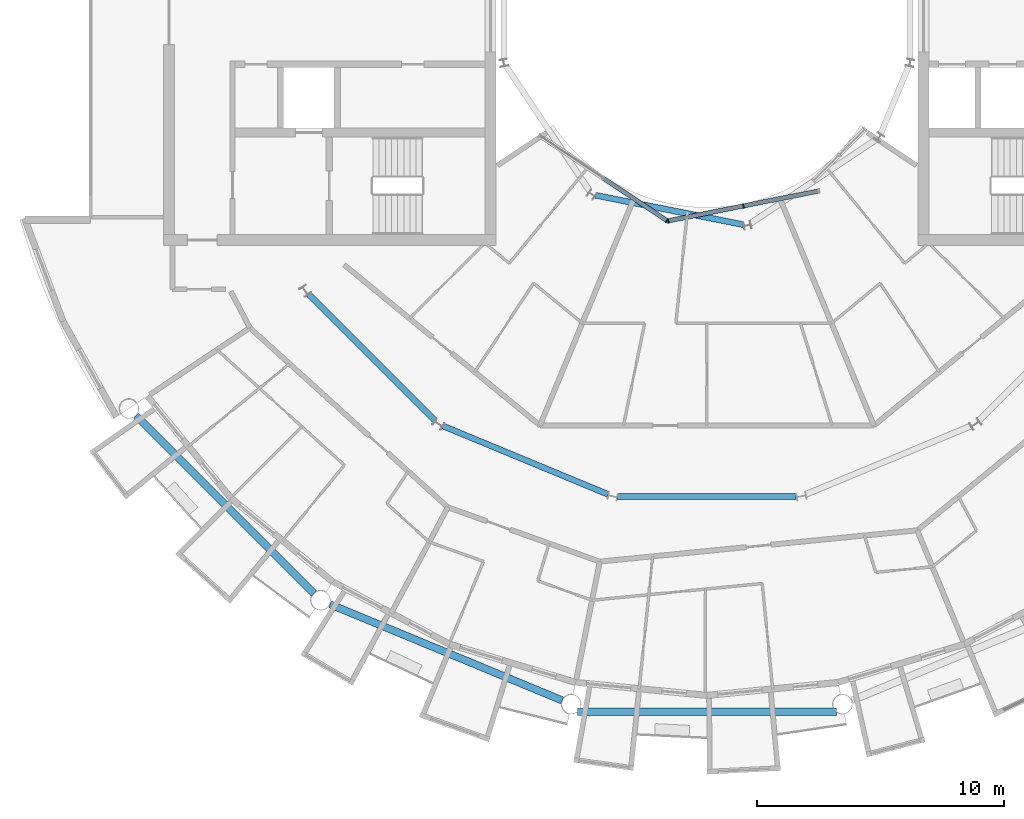
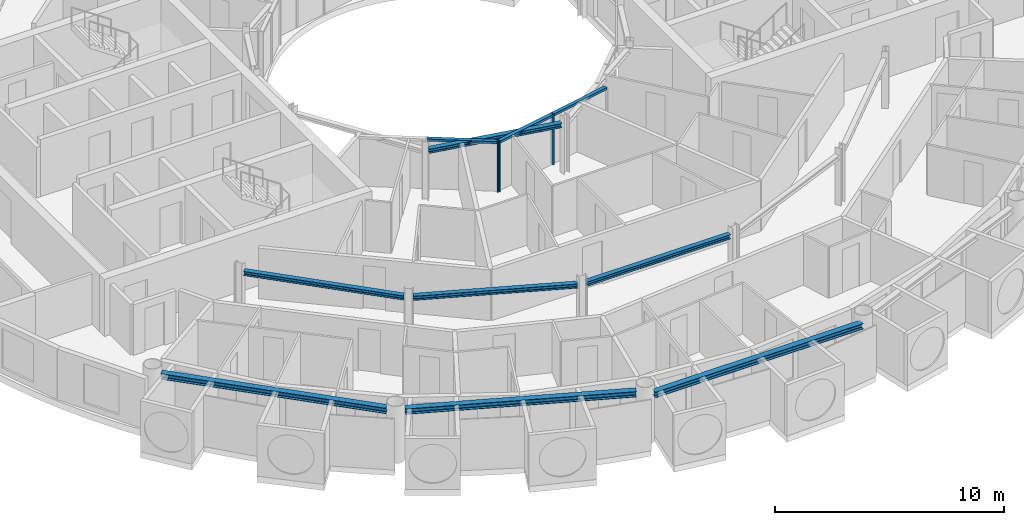
# One storey, part 6 of 29: 7 beams, 6 members, 2 elements without a shape of their own.
"""IFC4 building model written with IfcOpenShell, lengths in metres."""

from ifc_helpers import new_model, si_unit, direction, frame, origin, origin_2d, place, context, subcontext, project, spatial, rectangle, i_section, extrude, material, layer, layer_set, material_profile, profile_set, type_object, element, aggregate, save


model = new_model("IFC4")

# Units and contexts
model_context = context("Model", 3, precision=1e-05, world=origin(), true_north=direction((0.0, 1.0)))
body_context = subcontext(model_context, "Body", "Model", "MODEL_VIEW")
ifc_project = project(units=[si_unit("LENGTHUNIT", "METRE"), si_unit("AREAUNIT", "SQUARE_METRE"), si_unit("VOLUMEUNIT", "CUBIC_METRE"), si_unit("PLANEANGLEUNIT", "RADIAN"), si_unit("MASSUNIT", "GRAM", prefix="KILO")], contexts=[model_context])

# Site, building, storey
site_placement = place(None, origin())
site = spatial("IfcSite", under=ifc_project, at=site_placement, CompositionType="ELEMENT")
building_placement = place(site_placement, origin())
building = spatial("IfcBuilding", under=site, at=building_placement, Name="Maasbend Ring Residences", CompositionType="ELEMENT")
storey_placement = place(building_placement, frame((0.0, 0.0, 202.39990234375)))
storey = spatial("IfcBuildingStorey", under=building, at=storey_placement, Name="L58", CompositionType="ELEMENT", Elevation=202.39990234375)

# Curtain wall, member
ifc_material_1 = material(Name="Aluminium and clear glass", Category="aluminium")
ifc_layer = layer(ifc_material_1, 0.179931640625)
ifc_layer_set = layer_set([ifc_layer], Name="CW-W")
curtain_wall_type = type_object("IfcCurtainWallType", Name="CW-W", PredefinedType="NOTDEFINED", material=ifc_layer_set)
curtain_wall_1_placement = place(storey_placement, origin())
curtain_wall_1 = element("IfcCurtainWall", 1, at=curtain_wall_1_placement, inside=storey, type_object=curtain_wall_type, Name="Well curtain wall S1", PredefinedType="NOTDEFINED")
ifc_material_2 = material(Name="Aluminium 6063-T6", Category="aluminium")
ifc_material_profile_1 = material_profile(ifc_material_2, rectangle(XDim=0.179931640625, YDim=0.06005859375, at=origin_2d()), Name="AL 180x60")
ifc_profile_set_1 = profile_set([ifc_material_profile_1], Name="Aluminium 6063-T6")
member_type_1 = type_object("IfcMemberType", Name="CWM-W", PredefinedType="MULLION", material=ifc_profile_set_1)
member_1_placement = place(storey_placement, frame((-1.627685546875, -8.040771484375, 0.0), z_axis=(0.0, 0.0, 1.0), x_axis=(0.55557023302, 0.831469612303, 0.0)))
member_1 = element("IfcMember", 2, at=member_1_placement, type_object=member_type_1, Name="Mullion well face", PredefinedType="MULLION", context=body_context, shape_type="SweptSolid", body=[
    extrude(rectangle(XDim=0.179931640625, YDim=0.06005859375, at=origin_2d()), origin(), (0.0, 0.0, 1.0), 2.7001953125),
])

# Curtain wall, members
curtain_wall_2_placement = place(storey_placement, origin())
curtain_wall_2 = element("IfcCurtainWall", 3, at=curtain_wall_2_placement, inside=storey, type_object=curtain_wall_type, Name="Well curtain wall S2", PredefinedType="NOTDEFINED")
member_2_placement = place(storey_placement, frame((-1.5732421875, -8.0517578125, 0.0), z_axis=(0.0, 0.0, 1.0), x_axis=(-0.195090322016, 0.980785280403, 0.0)))
member_2 = element("IfcMember", 4, at=member_2_placement, type_object=member_type_1, Name="Mullion well face", PredefinedType="MULLION", context=body_context, shape_type="SweptSolid", body=[
    extrude(rectangle(XDim=0.179931640625, YDim=0.06005859375, at=origin_2d()), origin(), (0.0, 0.0, 1.0), 2.7001953125),
])
member_3_placement = place(storey_placement, frame((1.480712890625, -7.444091796875, 0.0), z_axis=(0.0, 0.0, 1.0), x_axis=(-0.195090322016, 0.980785280403, 0.0)))
member_3 = element("IfcMember", 5, at=member_3_placement, type_object=member_type_1, Name="Mullion well face", PredefinedType="MULLION", context=body_context, shape_type="SweptSolid", body=[
    extrude(rectangle(XDim=0.179931640625, YDim=0.06005859375, at=origin_2d()), origin(), (0.0, 0.0, 1.0), 2.7001953125),
])

# Member
ifc_material_3 = material(Name="Aluminium 6063-T6", Category="aluminium")
ifc_material_profile_2 = material_profile(ifc_material_3, rectangle(XDim=0.179931640625, YDim=0.1201171875, at=origin_2d()), Name="AL 180x120")
ifc_profile_set_2 = profile_set([ifc_material_profile_2], Name="Aluminium 6063-T6")
member_type_2 = type_object("IfcMemberType", Name="CWT-W", PredefinedType="USERDEFINED", material=ifc_profile_set_2)
member_4_placement = place(storey_placement, frame((-4.19189453125, -6.32763671875, 2.64013671875), z_axis=(0.831496422459, -0.555530106689, 0.0), x_axis=(0.555530106689, 0.831496422459, 0.0)))
member_4 = element("IfcMember", 6, at=member_4_placement, type_object=member_type_2, Name="Transom well face", ObjectType="TRANSOM", PredefinedType="USERDEFINED", context=body_context, shape_type="SweptSolid", body=[
    extrude(rectangle(XDim=0.179931640625, YDim=0.1201171875, at=origin_2d()), origin(), (0.0, 0.0, 1.0), 3.053955078125),
])

aggregate(curtain_wall_1, [member_1, member_4])

member_5_placement = place(storey_placement, frame((-1.5439453125, -8.0458984375, 2.64013671875), z_axis=(0.980776956105, 0.195132166424, 0.0), x_axis=(-0.195132166424, 0.980776956105, 0.0)))
member_5 = element("IfcMember", 7, at=member_5_placement, type_object=member_type_2, Name="Transom well face", ObjectType="TRANSOM", PredefinedType="USERDEFINED", context=body_context, shape_type="SweptSolid", body=[
    extrude(rectangle(XDim=0.179931640625, YDim=0.1201171875, at=origin_2d()), origin(), (0.0, 0.0, 1.0), 3.053955078125),
])

member_6_placement = place(storey_placement, frame((1.51025390625, -7.438232421875, 2.64013671875), z_axis=(0.980789210404, 0.19507056353, 0.0), x_axis=(-0.19507056353, 0.980789210404, 0.0)))
member_6 = element("IfcMember", 8, at=member_6_placement, type_object=member_type_2, Name="Transom well face", ObjectType="TRANSOM", PredefinedType="USERDEFINED", context=body_context, shape_type="SweptSolid", body=[
    extrude(rectangle(XDim=0.179931640625, YDim=0.1201171875, at=origin_2d()), origin(), (0.0, 0.0, 1.0), 3.0537109375),
])

aggregate(curtain_wall_2, [member_2, member_3, member_5, member_6])

# Beams
ifc_material_4 = material(Name="Steel S355J2", Category="steel")
ifc_material_profile_3 = material_profile(ifc_material_4, i_section(OverallWidth=0.239990234375, OverallDepth=0.22998046875, WebThickness=0.007568359375, FlangeThickness=0.011962890625, FilletRadius=0.02099609375, at=origin_2d()), Name="HEA 240")
ifc_profile_set_3 = profile_set([ifc_material_profile_3], Name="Steel S355J2")
beam_type_1 = type_object("IfcBeamType", Name="Corridor ring beam HEA 240", PredefinedType="BEAM", material=ifc_profile_set_3)
beam_1_placement = place(storey_placement, frame((-16.152587890625, -11.033447265625, 2.585205078125), z_axis=(0.707106781187, -0.707106781187, 0.0), x_axis=(0.707106781187, 0.707106781187, 0.0)))
element("IfcBeam", 9, at=beam_1_placement, inside=storey, type_object=beam_type_1, Name="Corridor ring beam", PredefinedType="BEAM", context=body_context, shape_type="SweptSolid", body=[
    extrude(i_section(OverallWidth=0.239990234375, OverallDepth=0.22998046875, WebThickness=0.007568359375, FlangeThickness=0.011962890625, FilletRadius=0.02099609375, at=origin_2d()), origin(), (0.0, 0.0, 1.0), 7.239501953125),
])
for number, where, z_axis, x_axis, name in (
    (10, (-10.70068359375, -16.374755859375, 2.585205078125), (0.923865162022, -0.382718123952, 0.0), (0.382718123952, 0.923865162022, 0.0), "Corridor ring beam"),
    (11, (-3.619873046875, -19.223388671875, 2.585205078125), (1.0, 0.0, 0.0), (0.0, 1.0, 0.0), "Corridor ring beam"),
):
    element("IfcBeam", number, at=place(storey_placement, frame(where, z_axis=z_axis, x_axis=x_axis)), inside=storey, type_object=beam_type_1, Name=name, PredefinedType="BEAM", context=body_context, shape_type="SweptSolid", body=[
        extrude(i_section(OverallWidth=0.239990234375, OverallDepth=0.22998046875, WebThickness=0.007568359375, FlangeThickness=0.011962890625, FilletRadius=0.02099609375, at=origin_2d()), origin(), (0.0, 0.0, 1.0), 7.23974609375),
    ])
ifc_material_5 = material(Name="Steel S355J2", Category="steel")
ifc_material_profile_4 = material_profile(ifc_material_5, i_section(OverallWidth=0.300048828125, OverallDepth=0.300048828125, WebThickness=0.010986328125, FlangeThickness=0.01904296875, FilletRadius=0.027099609375, at=origin_2d()), Name="HEB 300")
ifc_profile_set_4 = profile_set([ifc_material_profile_4], Name="Steel S355J2")
beam_type_2 = type_object("IfcBeamType", Name="Spandrel ring beam HEB 300", PredefinedType="SPANDREL", material=ifc_profile_set_4)
for number, where, z_axis, x_axis, name in (
    (12, (-23.159912109375, -15.95458984375, 2.550048828125), (0.707106781187, -0.707106781187, 0.0), (0.707106781187, 0.707106781187, 0.0), "Spandrel ring beam"),
    (13, (-15.29150390625, -23.60302734375, 2.550048828125), (0.923883676188, -0.382673428492, 0.0), (0.382673428492, 0.923883676188, 0.0), "Spandrel ring beam"),
):
    element("IfcBeam", number, at=place(storey_placement, frame(where, z_axis=z_axis, x_axis=x_axis)), inside=storey, type_object=beam_type_2, Name=name, PredefinedType="SPANDREL", context=body_context, shape_type="SweptSolid", body=[
        extrude(i_section(OverallWidth=0.300048828125, OverallDepth=0.300048828125, WebThickness=0.010986328125, FlangeThickness=0.01904296875, FilletRadius=0.027099609375, at=origin_2d()), origin(), (0.0, 0.0, 1.0), 10.18994140625),
    ])
beam_2_placement = place(storey_placement, frame((-5.2451171875, -27.9580078125, 2.550048828125), z_axis=(1.0, 0.0, 0.0), x_axis=(0.0, 1.0, 0.0)))
element("IfcBeam", 14, at=beam_2_placement, inside=storey, type_object=beam_type_2, Name="Spandrel ring beam", PredefinedType="SPANDREL", context=body_context, shape_type="SweptSolid", body=[
    extrude(i_section(OverallWidth=0.300048828125, OverallDepth=0.300048828125, WebThickness=0.010986328125, FlangeThickness=0.01904296875, FilletRadius=0.027099609375, at=origin_2d()), origin(), (0.0, 0.0, 1.0), 10.490234375),
])
ifc_material_6 = material(Name="Steel S355J2", Category="steel")
ifc_material_profile_5 = material_profile(ifc_material_6, i_section(OverallWidth=0.239990234375, OverallDepth=0.22998046875, WebThickness=0.007568359375, FlangeThickness=0.011962890625, FilletRadius=0.02099609375, at=origin_2d()), Name="HEA 240")
ifc_profile_set_5 = profile_set([ifc_material_profile_5], Name="Steel S355J2")
beam_type_3 = type_object("IfcBeamType", Name="Well edge beam HEA 240", PredefinedType="BEAM", material=ifc_profile_set_5)
beam_3_placement = place(storey_placement, frame((-4.512939453125, -7.014892578125, 2.585205078125), z_axis=(0.980782836869, -0.195102606089, 0.0), x_axis=(0.195102606089, 0.980782836869, 0.0)))
element("IfcBeam", 15, at=beam_3_placement, inside=storey, type_object=beam_type_3, Name="Well edge beam", PredefinedType="BEAM", context=body_context, shape_type="SweptSolid", body=[
    extrude(i_section(OverallWidth=0.239990234375, OverallDepth=0.22998046875, WebThickness=0.007568359375, FlangeThickness=0.011962890625, FilletRadius=0.02099609375, at=origin_2d()), origin(), (0.0, 0.0, 1.0), 6.115234375),
])

save(model, "model.ifc")
